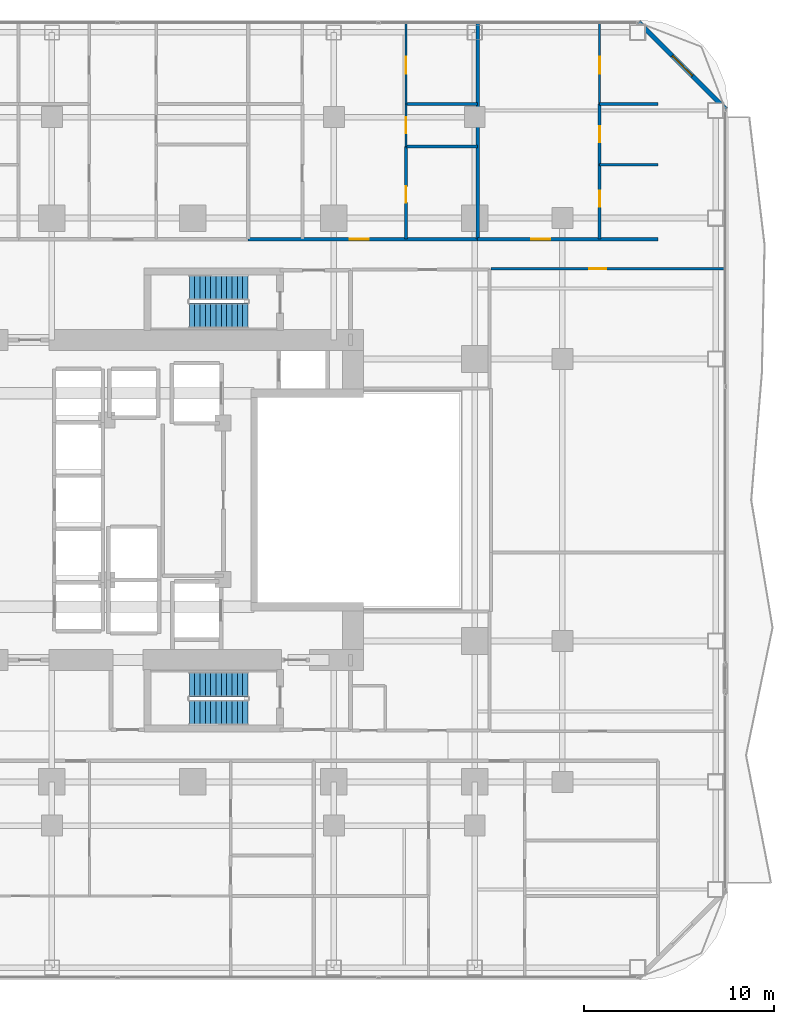
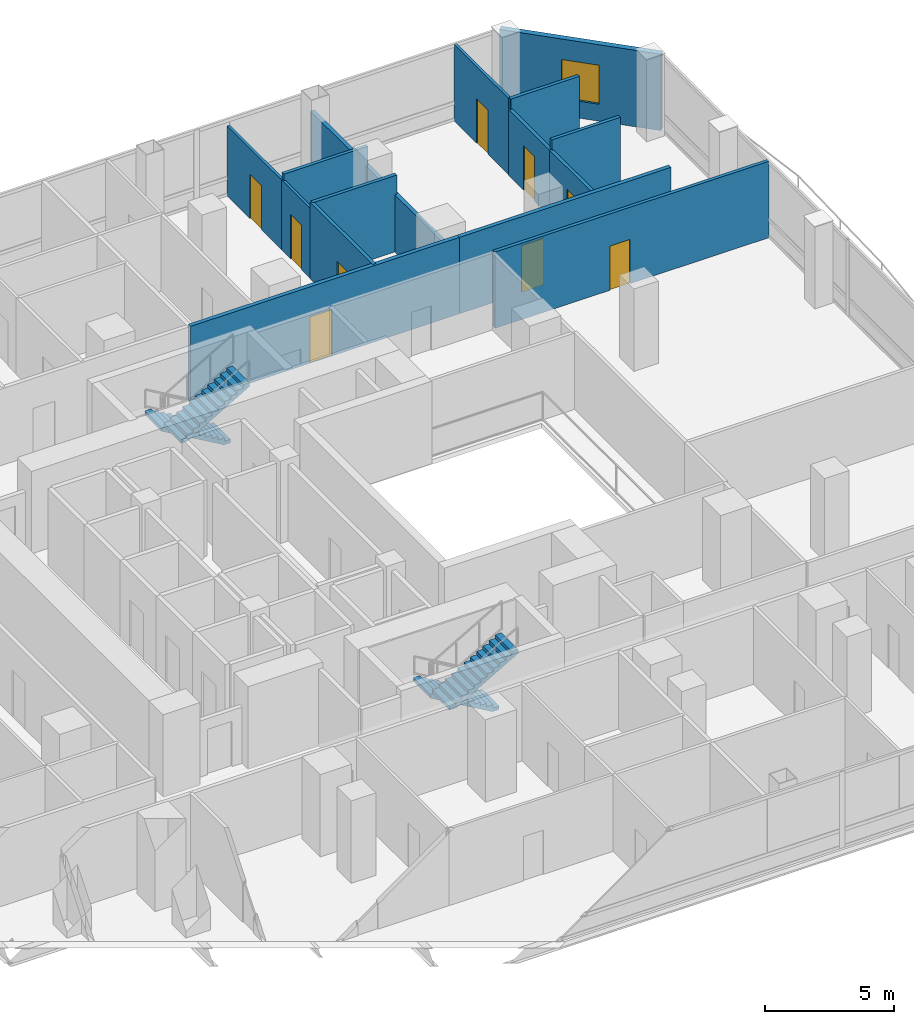
# One storey, part 24 of 27: 15 walls, 9 doors, 4 stair flights, 1 window, 10 openings, 2 elements without a shape of their own.
"""IFC4 building model written with IfcOpenShell, lengths in metres."""

from ifc_helpers import new_model, si_unit, direction, frame, frame_2d, origin, place, context, subcontext, project, spatial, polyline, rectangle, outline, extrude, material, layer, layer_set, type_object, element, fill, aggregate, save


model = new_model("IFC4")

# Units and contexts
model_context = context("Model", 3, precision=1e-05, world=origin(), true_north=direction((0.0, 1.0)))
body_context = subcontext(model_context, "Body", "Model", "MODEL_VIEW")
ifc_project = project(units=[si_unit("LENGTHUNIT", "METRE"), si_unit("AREAUNIT", "SQUARE_METRE"), si_unit("VOLUMEUNIT", "CUBIC_METRE"), si_unit("PLANEANGLEUNIT", "RADIAN"), si_unit("MASSUNIT", "GRAM", prefix="KILO")], contexts=[model_context])

# Site, building, storey
site_placement = place(None, origin())
site = spatial("IfcSite", under=ifc_project, at=site_placement, CompositionType="ELEMENT")
building_placement = place(site_placement, origin())
building = spatial("IfcBuilding", under=site, at=building_placement, Name="Khorvyn Point Tower", CompositionType="ELEMENT")
storey_placement = place(building_placement, frame((0.0, 0.0, 50.10009765625)))
storey = spatial("IfcBuildingStorey", under=building, at=storey_placement, Name="L13", CompositionType="ELEMENT", Elevation=50.10009765625)

# Wall, opening, door
ifc_material_1 = material(Name="Double acoustic gypsum on twin steel stud", Category="steel")
ifc_layer_1 = layer(ifc_material_1, 0.179931640625)
ifc_layer_set_1 = layer_set([ifc_layer_1], Name="Acoustic Double-Stud Apartment Demising Wall 180")
wall_type_1 = type_object("IfcWallType", Name="Acoustic Double-Stud Apartment Demising Wall 180", PredefinedType="PARTITIONING", material=ifc_layer_set_1)
wall_1_placement = place(storey_placement, frame((2.89990234375, 13.699951171875, 0.0), z_axis=(0.0, 0.0, 1.0), x_axis=(1.0, 0.0, 0.0)))
wall_1 = element("IfcWall", 1, at=wall_1_placement, inside=storey, type_object=wall_type_1, Name="Wall", PredefinedType="PARTITIONING", context=body_context, shape_type="SweptSolid", body=[
    extrude(rectangle(XDim=12.051025390625, YDim=0.179931640625, at=frame_2d((6.025390625, 0.0))), origin(), (0.0, 0.0, 1.0), 3.619873046875),
])
opening_1_placement = place(wall_1_placement, frame((5.3466796875, 0.0, 0.0)))
opening_1 = element("IfcOpeningElement", 2, at=opening_1_placement, cuts=wall_1, Name="Opening ID-AP60", PredefinedType="OPENING", context=body_context, shape_type="SweptSolid", body=[
    extrude(rectangle(XDim=1.0, YDim=2.199951171875, at=frame_2d((0.5, 1.10009765625))), frame((0.0, 0.099853515625, 0.0), z_axis=(0.0, -1.0, 0.0), x_axis=(1.0, 0.0, 0.0)), (0.0, 0.0, 1.0), 0.199951171875),
])
ifc_material_2 = material(Name="Engineered hardwood fire-rated leaf", Category="wood")
door_type_1 = type_object("IfcDoorType", Name="Acoustic Solid-Core Timber Apartment Entrance Door 1000x2200", OperationType="NOTDEFINED", PredefinedType="DOOR", material=ifc_material_2)
door_1_placement = place(opening_1_placement, origin())
door_1 = element("IfcDoor", 3, at=door_1_placement, inside=storey, type_object=door_type_1, Name="Door", OperationType="SINGLE_SWING_RIGHT", OverallHeight=2.199951171875, OverallWidth=1.0, PredefinedType="DOOR", context=body_context, shape_type="SweptSolid", body=[
    extrude(rectangle(XDim=1.0, YDim=2.199951171875, at=frame_2d((0.5, 1.10009765625))), frame((0.0, 0.02490234375, 0.0), z_axis=(0.0, -1.0, 0.0), x_axis=(1.0, 0.0, 0.0)), (0.0, 0.0, 1.0), 0.050048828125),
])
fill(opening_1, door_1)

wall_2_placement = place(storey_placement, frame((14.950927734375, 13.699951171875, 0.0), z_axis=(0.0, 0.0, 1.0), x_axis=(1.0, 0.0, 0.0)))
wall_2 = element("IfcWall", 4, at=wall_2_placement, inside=storey, type_object=wall_type_1, Name="Wall", PredefinedType="PARTITIONING", context=body_context, shape_type="SweptSolid", body=[
    extrude(rectangle(XDim=9.468994140625, YDim=0.179931640625, at=frame_2d((4.734375, 0.0))), origin(), (0.0, 0.0, 1.0), 3.619873046875),
])
opening_2_placement = place(wall_2_placement, frame((2.8173828125, 0.0, 0.0)))
opening_2 = element("IfcOpeningElement", 5, at=opening_2_placement, cuts=wall_2, Name="Opening ID-AP60", PredefinedType="OPENING", context=body_context, shape_type="SweptSolid", body=[
    extrude(rectangle(XDim=1.0, YDim=2.199951171875, at=frame_2d((0.5, 1.10009765625))), frame((0.0, 0.099853515625, 0.0), z_axis=(0.0, -1.0, 0.0), x_axis=(1.0, 0.0, 0.0)), (0.0, 0.0, 1.0), 0.199951171875),
])
door_2_placement = place(opening_2_placement, origin())
door_2 = element("IfcDoor", 6, at=door_2_placement, inside=storey, type_object=door_type_1, Name="Door", OperationType="SINGLE_SWING_RIGHT", OverallHeight=2.199951171875, OverallWidth=1.0, PredefinedType="DOOR", context=body_context, shape_type="SweptSolid", body=[
    extrude(rectangle(XDim=1.0, YDim=2.199951171875, at=frame_2d((0.5, 1.10009765625))), frame((0.0, 0.02490234375, 0.0), z_axis=(0.0, -1.0, 0.0), x_axis=(1.0, 0.0, 0.0)), (0.0, 0.0, 1.0), 0.050048828125),
])
fill(opening_2, door_2)

# Wall
wall_3_placement = place(storey_placement, frame((14.950927734375, 13.699951171875, 0.0), z_axis=(0.0, 0.0, 1.0), x_axis=(0.0, 1.0, 0.0)))
element("IfcWall", 7, at=wall_3_placement, inside=storey, type_object=wall_type_1, Name="Wall", PredefinedType="PARTITIONING", context=body_context, shape_type="SweptSolid", body=[
    extrude(rectangle(XDim=11.330078125, YDim=0.179931640625, at=frame_2d((5.6650390625, 0.0))), origin(), (0.0, 0.0, 1.0), 2.7099609375),
])

# Wall, opening, window
ifc_material_3 = material(Name="Pale anodised aluminium rainscreen on steel stud", Category="steel")
ifc_layer_2 = layer(ifc_material_3, 0.239990234375)
ifc_layer_set_2 = layer_set([ifc_layer_2], Name="Anodised Aluminium Insulated Corner Spandrel Wall 240")
wall_type_2 = type_object("IfcWallType", Name="Anodised Aluminium Insulated Corner Spandrel Wall 240", PredefinedType="SOLIDWALL", material=ifc_layer_set_2)
wall_4_placement = place(storey_placement, frame((23.40771484375, 25.09228515625, 0.0), z_axis=(0.0, 0.0, 1.0), x_axis=(0.707106781187, -0.707106781187, 0.0)))
wall_4 = element("IfcWall", 8, at=wall_4_placement, inside=storey, type_object=wall_type_2, Name="L13 Rounded Corner Wall NE", PredefinedType="SOLIDWALL", context=body_context, shape_type="SweptSolid", body=[
    extrude(rectangle(XDim=6.48388671875, YDim=0.239990234375, at=frame_2d((3.241943359375, 0.0))), origin(), (0.0, 0.0, 1.0), 3.619873046875),
])
opening_3_placement = place(wall_4_placement, frame((2.491943359375, 0.0, 0.800048828125)))
opening_3 = element("IfcOpeningElement", 9, at=opening_3_placement, cuts=wall_4, Name="Opening WN-1518", PredefinedType="OPENING", context=body_context, shape_type="SweptSolid", body=[
    extrude(rectangle(XDim=1.5, YDim=1.85009765625, at=frame_2d((0.75, 0.925048828125))), frame((0.0, 0.1298828125, 0.0), z_axis=(0.0, -1.0, 0.0), x_axis=(1.0, 0.0, 0.0)), (0.0, 0.0, 1.0), 0.260009765625),
])
ifc_material_4 = material(Name="Anodised aluminium 6063-T6 and laminated Low-E glass", Category="aluminium")
window_type = type_object("IfcWindowType", Name="Anodised Aluminium Rounded-Corner Panoramic Window 1500x1850", PartitioningType="SINGLE_PANEL", PredefinedType="WINDOW", material=ifc_material_4)
window_placement = place(opening_3_placement, origin())
window = element("IfcWindow", 10, at=window_placement, inside=storey, type_object=window_type, Name="L13 Corner Panoramic Window NE", OverallHeight=1.85009765625, OverallWidth=1.5, PartitioningType="SINGLE_PANEL", PredefinedType="WINDOW", context=body_context, shape_type="SweptSolid", body=[
    extrude(rectangle(XDim=1.5, YDim=1.85009765625, at=frame_2d((0.75, 0.925048828125))), frame((0.0, 0.030029296875, 0.0), z_axis=(0.0, -1.0, 0.0), x_axis=(1.0, 0.0, 0.0)), (0.0, 0.0, 1.0), 0.06005859375),
])
fill(opening_3, window)

# Wall, opening, door
ifc_material_5 = material(Name="Gypsum plasterboard on steel stud", Category="steel")
ifc_layer_3 = layer(ifc_material_5, 0.1201171875)
ifc_layer_set_3 = layer_set([ifc_layer_3], Name="Gypsum Acoustic Stud Room Partition Wall 120")
wall_type_3 = type_object("IfcWallType", Name="Gypsum Acoustic Stud Room Partition Wall 120", PredefinedType="PARTITIONING", material=ifc_layer_set_3)
wall_5_placement = place(storey_placement, frame((11.19091796875, 18.556884765625, 0.0), z_axis=(0.0, 0.0, 1.0), x_axis=(0.0, 1.0, 0.0)))
wall_5 = element("IfcWall", 11, at=wall_5_placement, inside=storey, type_object=wall_type_3, Name="Wall", PredefinedType="PARTITIONING", context=body_context, shape_type="SweptSolid", body=[
    extrude(rectangle(XDim=2.233154296875, YDim=0.1201171875, at=frame_2d((1.11669921875, 0.0))), origin(), (0.0, 0.0, 1.0), 3.309814453125),
])
opening_4_placement = place(wall_5_placement, frame((0.69140625, 0.0, 0.0)))
opening_4 = element("IfcOpeningElement", 12, at=opening_4_placement, cuts=wall_5, Name="Opening ID-WC85", PredefinedType="OPENING", context=body_context, shape_type="SweptSolid", body=[
    extrude(rectangle(XDim=0.85009765625, YDim=2.10009765625, at=frame_2d((0.425048828125, 1.050048828125))), frame((0.0, 0.070068359375, 0.0), z_axis=(0.0, -1.0, 0.0), x_axis=(1.0, 0.0, 0.0)), (0.0, 0.0, 1.0), 0.14013671875),
])
ifc_material_6 = material(Name="High-pressure laminate on moisture-resistant core", Category="wood")
door_type_2 = type_object("IfcDoorType", Name="Moisture-Resistant Accessible Washroom Door 850x2100", OperationType="NOTDEFINED", PredefinedType="DOOR", material=ifc_material_6)
door_3_placement = place(opening_4_placement, origin())
door_3 = element("IfcDoor", 13, at=door_3_placement, inside=storey, type_object=door_type_2, Name="Door", OperationType="SINGLE_SWING_RIGHT", OverallHeight=2.10009765625, OverallWidth=0.85009765625, PredefinedType="DOOR", context=body_context, shape_type="SweptSolid", body=[
    extrude(rectangle(XDim=0.85009765625, YDim=2.10009765625, at=frame_2d((0.425048828125, 1.050048828125))), frame((0.0, 0.02490234375, 0.0), z_axis=(0.0, -1.0, 0.0), x_axis=(1.0, 0.0, 0.0)), (0.0, 0.0, 1.0), 0.050048828125),
])
fill(opening_4, door_3)

wall_6_placement = place(storey_placement, frame((11.19091796875, 20.7900390625, 0.0), z_axis=(0.0, 0.0, 1.0), x_axis=(0.0, 1.0, 0.0)))
wall_6 = element("IfcWall", 14, at=wall_6_placement, inside=storey, type_object=wall_type_3, Name="Wall", PredefinedType="PARTITIONING", context=body_context, shape_type="SweptSolid", body=[
    extrude(rectangle(XDim=4.239990234375, YDim=0.1201171875, at=frame_2d((2.1201171875, 0.0))), origin(), (0.0, 0.0, 1.0), 3.309814453125),
])
opening_5_placement = place(wall_6_placement, frame((1.581298828125, 0.0, 0.0)))
opening_5 = element("IfcOpeningElement", 15, at=opening_5_placement, cuts=wall_6, Name="Opening ID-RM90", PredefinedType="OPENING", context=body_context, shape_type="SweptSolid", body=[
    extrude(rectangle(XDim=0.89990234375, YDim=2.10009765625, at=frame_2d((0.449951171875, 1.050048828125))), frame((0.0, 0.070068359375, 0.0), z_axis=(0.0, -1.0, 0.0), x_axis=(1.0, 0.0, 0.0)), (0.0, 0.0, 1.0), 0.14013671875),
])
ifc_material_7 = material(Name="Engineered oak veneer timber", Category="wood")
door_type_3 = type_object("IfcDoorType", Name="Flush Engineered Timber Room Door 900x2100", OperationType="NOTDEFINED", PredefinedType="DOOR", material=ifc_material_7)
door_4_placement = place(opening_5_placement, origin())
door_4 = element("IfcDoor", 16, at=door_4_placement, inside=storey, type_object=door_type_3, Name="Door", OperationType="SINGLE_SWING_LEFT", OverallHeight=2.10009765625, OverallWidth=0.89990234375, PredefinedType="DOOR", context=body_context, shape_type="SweptSolid", body=[
    extrude(rectangle(XDim=0.89990234375, YDim=2.10009765625, at=frame_2d((0.449951171875, 1.050048828125))), frame((0.0, 0.02490234375, 0.0), z_axis=(0.0, -1.0, 0.0), x_axis=(1.0, 0.0, 0.0)), (0.0, 0.0, 1.0), 0.050048828125),
])
fill(opening_5, door_4)

wall_7_placement = place(storey_placement, frame((21.35205078125, 20.7900390625, 0.0), z_axis=(0.0, 0.0, 1.0), x_axis=(0.0, 1.0, 0.0)))
wall_7 = element("IfcWall", 17, at=wall_7_placement, inside=storey, type_object=wall_type_3, Name="Wall", PredefinedType="PARTITIONING", context=body_context, shape_type="SweptSolid", body=[
    extrude(rectangle(XDim=4.239990234375, YDim=0.1201171875, at=frame_2d((2.1201171875, 0.0))), origin(), (0.0, 0.0, 1.0), 3.619873046875),
])
opening_6_placement = place(wall_7_placement, frame((1.581298828125, 0.0, 0.0)))
opening_6 = element("IfcOpeningElement", 18, at=opening_6_placement, cuts=wall_7, Name="Opening ID-RM90", PredefinedType="OPENING", context=body_context, shape_type="SweptSolid", body=[
    extrude(rectangle(XDim=0.89990234375, YDim=2.10009765625, at=frame_2d((0.449951171875, 1.050048828125))), frame((0.0, 0.070068359375, 0.0), z_axis=(0.0, -1.0, 0.0), x_axis=(1.0, 0.0, 0.0)), (0.0, 0.0, 1.0), 0.14013671875),
])
door_5_placement = place(opening_6_placement, origin())
door_5 = element("IfcDoor", 19, at=door_5_placement, inside=storey, type_object=door_type_3, Name="Door", OperationType="SINGLE_SWING_LEFT", OverallHeight=2.10009765625, OverallWidth=0.89990234375, PredefinedType="DOOR", context=body_context, shape_type="SweptSolid", body=[
    extrude(rectangle(XDim=0.89990234375, YDim=2.10009765625, at=frame_2d((0.449951171875, 1.050048828125))), frame((0.0, 0.02490234375, 0.0), z_axis=(0.0, -1.0, 0.0), x_axis=(1.0, 0.0, 0.0)), (0.0, 0.0, 1.0), 0.050048828125),
])
fill(opening_6, door_5)

ifc_material_8 = material(Name="Moisture-resistant gypsum and cement board", Category="gypsum")
ifc_layer_4 = layer(ifc_material_8, 0.14990234375)
ifc_layer_set_4 = layer_set([ifc_layer_4], Name="Moisture-Resistant Wet-Room Partition Wall 150")
wall_type_4 = type_object("IfcWallType", Name="Moisture-Resistant Wet-Room Partition Wall 150", PredefinedType="PARTITIONING", material=ifc_layer_set_4)
wall_8_placement = place(storey_placement, frame((11.19091796875, 13.699951171875, 0.0), z_axis=(0.0, 0.0, 1.0), x_axis=(0.0, 1.0, 0.0)))
wall_8 = element("IfcWall", 20, at=wall_8_placement, inside=storey, type_object=wall_type_4, Name="Wall", PredefinedType="PARTITIONING", context=body_context, shape_type="SweptSolid", body=[
    extrude(rectangle(XDim=4.85693359375, YDim=0.14990234375, at=frame_2d((2.428466796875, 0.0))), origin(), (0.0, 0.0, 1.0), 3.619873046875),
])
opening_7_placement = place(wall_8_placement, frame((1.915771484375, 0.0, 0.0)))
opening_7 = element("IfcOpeningElement", 21, at=opening_7_placement, cuts=wall_8, Name="Opening ID-WC85", PredefinedType="OPENING", context=body_context, shape_type="SweptSolid", body=[
    extrude(rectangle(XDim=0.85009765625, YDim=2.10009765625, at=frame_2d((0.425048828125, 1.050048828125))), frame((0.0, 0.0849609375, 0.0), z_axis=(0.0, -1.0, 0.0), x_axis=(1.0, 0.0, 0.0)), (0.0, 0.0, 1.0), 0.169921875),
])
door_6_placement = place(opening_7_placement, origin())
door_6 = element("IfcDoor", 22, at=door_6_placement, inside=storey, type_object=door_type_2, Name="Door", OperationType="SINGLE_SWING_LEFT", OverallHeight=2.10009765625, OverallWidth=0.85009765625, PredefinedType="DOOR", context=body_context, shape_type="SweptSolid", body=[
    extrude(rectangle(XDim=0.85009765625, YDim=2.10009765625, at=frame_2d((0.425048828125, 1.050048828125))), frame((0.0, 0.02490234375, 0.0), z_axis=(0.0, -1.0, 0.0), x_axis=(1.0, 0.0, 0.0)), (0.0, 0.0, 1.0), 0.050048828125),
])
fill(opening_7, door_6)

wall_9_placement = place(storey_placement, frame((21.35205078125, 13.699951171875, 0.0), z_axis=(0.0, 0.0, 1.0), x_axis=(0.0, 1.0, 0.0)))
wall_9 = element("IfcWall", 23, at=wall_9_placement, inside=storey, type_object=wall_type_4, Name="Wall", PredefinedType="PARTITIONING", context=body_context, shape_type="SweptSolid", body=[
    extrude(rectangle(XDim=3.899169921875, YDim=0.14990234375, at=frame_2d((1.94970703125, 0.0))), origin(), (0.0, 0.0, 1.0), 3.121826171875),
])
opening_8_placement = place(wall_9_placement, frame((1.695068359375, 0.0, 0.0)))
opening_8 = element("IfcOpeningElement", 24, at=opening_8_placement, cuts=wall_9, Name="Opening ID-WC85", PredefinedType="OPENING", context=body_context, shape_type="SweptSolid", body=[
    extrude(rectangle(XDim=0.85009765625, YDim=2.10009765625, at=frame_2d((0.425048828125, 1.050048828125))), frame((0.0, 0.0849609375, 0.0), z_axis=(0.0, -1.0, 0.0), x_axis=(1.0, 0.0, 0.0)), (0.0, 0.0, 1.0), 0.169921875),
])
door_7_placement = place(opening_8_placement, origin())
door_7 = element("IfcDoor", 25, at=door_7_placement, inside=storey, type_object=door_type_2, Name="Door", OperationType="SINGLE_SWING_LEFT", OverallHeight=2.10009765625, OverallWidth=0.85009765625, PredefinedType="DOOR", context=body_context, shape_type="SweptSolid", body=[
    extrude(rectangle(XDim=0.85009765625, YDim=2.10009765625, at=frame_2d((0.425048828125, 1.050048828125))), frame((0.0, 0.02490234375, 0.0), z_axis=(0.0, -1.0, 0.0), x_axis=(1.0, 0.0, 0.0)), (0.0, 0.0, 1.0), 0.050048828125),
])
fill(opening_8, door_7)

wall_10_placement = place(storey_placement, frame((21.35205078125, 17.59912109375, 0.0), z_axis=(0.0, 0.0, 1.0), x_axis=(0.0, 1.0, 0.0)))
wall_10 = element("IfcWall", 26, at=wall_10_placement, inside=storey, type_object=wall_type_4, Name="Wall", PredefinedType="PARTITIONING", context=body_context, shape_type="SweptSolid", body=[
    extrude(rectangle(XDim=3.19091796875, YDim=0.14990234375, at=frame_2d((1.595458984375, 0.0))), origin(), (0.0, 0.0, 1.0), 3.121826171875),
])
opening_9_placement = place(wall_10_placement, frame((1.17041015625, 0.0, 0.0)))
opening_9 = element("IfcOpeningElement", 27, at=opening_9_placement, cuts=wall_10, Name="Opening ID-WC85", PredefinedType="OPENING", context=body_context, shape_type="SweptSolid", body=[
    extrude(rectangle(XDim=0.85009765625, YDim=2.10009765625, at=frame_2d((0.425048828125, 1.050048828125))), frame((0.0, 0.0849609375, 0.0), z_axis=(0.0, -1.0, 0.0), x_axis=(1.0, 0.0, 0.0)), (0.0, 0.0, 1.0), 0.169921875),
])
door_8_placement = place(opening_9_placement, origin())
door_8 = element("IfcDoor", 28, at=door_8_placement, inside=storey, type_object=door_type_2, Name="Door", OperationType="SINGLE_SWING_RIGHT", OverallHeight=2.10009765625, OverallWidth=0.85009765625, PredefinedType="DOOR", context=body_context, shape_type="SweptSolid", body=[
    extrude(rectangle(XDim=0.85009765625, YDim=2.10009765625, at=frame_2d((0.425048828125, 1.050048828125))), frame((0.0, 0.02490234375, 0.0), z_axis=(0.0, -1.0, 0.0), x_axis=(1.0, 0.0, 0.0)), (0.0, 0.0, 1.0), 0.050048828125),
])
fill(opening_9, door_8)

wall_11_placement = place(storey_placement, frame((15.64990234375, 12.139892578125, 0.0), z_axis=(0.0, 0.0, 1.0), x_axis=(1.0, 0.0, 0.0)))
wall_11 = element("IfcWall", 29, at=wall_11_placement, inside=storey, type_object=wall_type_4, Name="Wall", PredefinedType="PARTITIONING", context=body_context, shape_type="SweptSolid", body=[
    extrude(rectangle(XDim=12.27001953125, YDim=0.14990234375, at=frame_2d((6.135009765625, 0.0))), origin(), (0.0, 0.0, 1.0), 3.619873046875),
])
opening_10_placement = place(wall_11_placement, frame((5.150390625, 0.0, 0.0)))
opening_10 = element("IfcOpeningElement", 30, at=opening_10_placement, cuts=wall_11, Name="Opening ID-RM90", PredefinedType="OPENING", context=body_context, shape_type="SweptSolid", body=[
    extrude(rectangle(XDim=0.89990234375, YDim=2.10009765625, at=frame_2d((0.449951171875, 1.050048828125))), frame((0.0, 0.0849609375, 0.0), z_axis=(0.0, -1.0, 0.0), x_axis=(1.0, 0.0, 0.0)), (0.0, 0.0, 1.0), 0.169921875),
])
door_9_placement = place(opening_10_placement, origin())
door_9 = element("IfcDoor", 31, at=door_9_placement, inside=storey, type_object=door_type_3, Name="Door", OperationType="SINGLE_SWING_RIGHT", OverallHeight=2.10009765625, OverallWidth=0.89990234375, PredefinedType="DOOR", context=body_context, shape_type="SweptSolid", body=[
    extrude(rectangle(XDim=0.89990234375, YDim=2.10009765625, at=frame_2d((0.449951171875, 1.050048828125))), frame((0.0, 0.02490234375, 0.0), z_axis=(0.0, -1.0, 0.0), x_axis=(1.0, 0.0, 0.0)), (0.0, 0.0, 1.0), 0.050048828125),
])
fill(opening_10, door_9)

# Walls
for number, where, z_axis, x_axis, name in (
    (32, (11.19091796875, 18.556884765625, 0.0), (0.0, 0.0, 1.0), (1.0, 0.0, 0.0), "Wall"),
    (33, (11.19091796875, 20.7900390625, 0.0), (0.0, 0.0, 1.0), (1.0, 0.0, 0.0), "Wall"),
):
    element("IfcWall", number, at=place(storey_placement, frame(where, z_axis=z_axis, x_axis=x_axis)), inside=storey, type_object=wall_type_4, Name=name, PredefinedType="PARTITIONING", context=body_context, shape_type="SweptSolid", body=[
        extrude(rectangle(XDim=3.760009765625, YDim=0.14990234375, at=frame_2d((1.8798828125, 0.0))), origin(), (0.0, 0.0, 1.0), 3.619873046875),
    ])
for number, where, z_axis, x_axis, name in (
    (34, (21.35205078125, 17.59912109375, 0.0), (0.0, 0.0, 1.0), (1.0, 0.0, 0.0), "Wall"),
    (35, (21.35205078125, 20.7900390625, 0.0), (0.0, 0.0, 1.0), (1.0, 0.0, 0.0), "Wall"),
):
    element("IfcWall", number, at=place(storey_placement, frame(where, z_axis=z_axis, x_axis=x_axis)), inside=storey, type_object=wall_type_4, Name=name, PredefinedType="PARTITIONING", context=body_context, shape_type="SweptSolid", body=[
        extrude(rectangle(XDim=3.06787109375, YDim=0.14990234375, at=frame_2d((1.533935546875, 0.0))), origin(), (0.0, 0.0, 1.0), 3.619873046875),
    ])

# Stair, stair flights
ifc_material_9 = material(Name="Concrete C40/50", Category="concrete")
stair_type = type_object("IfcStairType", Name="Tower Concrete C40/50 Dogleg Exit Stair", PredefinedType="HALF_TURN_STAIR", material=ifc_material_9)
stair_1_placement = place(storey_placement, origin())
stair_1 = element("IfcStair", 36, at=stair_1_placement, inside=storey, type_object=stair_type, Name="L13 Tower Smokeproof Exit Stair South", PredefinedType="HALF_TURN_STAIR")
stair_flight_type = type_object("IfcStairFlightType", Name="Tower Concrete C40/50 Stair Flight", PredefinedType="STRAIGHT", material=ifc_material_9)
stair_flight_1_placement = place(storey_placement, frame((2.89990234375, -9.679931640625, 0.0), z_axis=(0.0, 0.0, 1.0), x_axis=(-1.0, 0.0, 0.0)))
stair_flight_1 = element("IfcStairFlight", 37, at=stair_flight_1_placement, type_object=stair_flight_type, Name="ST-01 flight 1", NumberOfRisers=12, NumberOfTreads=11, PredefinedType="STRAIGHT", RiserHeight=0.1625, TreadLength=0.28, context=body_context, shape_type="SweptSolid", body=[
    extrude(outline(polyline([(0.0, 0.0), (0.0, 0.16259765625), (0.280029296875, 0.16259765625), (0.280029296875, 0.324951171875), (0.56005859375, 0.324951171875), (0.56005859375, 0.487548828125), (0.840087890625, 0.487548828125), (0.840087890625, 0.64990234375), (1.1201171875, 0.64990234375), (1.1201171875, 0.8125), (1.39990234375, 0.8125), (1.39990234375, 0.97509765625), (1.679931640625, 0.97509765625), (1.679931640625, 1.137451171875), (1.9599609375, 1.137451171875), (1.9599609375, 1.300048828125), (2.239990234375, 1.300048828125), (2.239990234375, 1.46240234375), (2.52001953125, 1.46240234375), (2.52001953125, 1.625), (2.800048828125, 1.625), (2.800048828125, 1.78759765625), (3.080078125, 1.78759765625), (3.080078125, 1.949951171875), (3.080078125, 1.6142578125), (0.298583984375, 0.0), (0.0, 0.0)])), frame((0.0, 0.66015625, 0.0), z_axis=(0.0, -1.0, 0.0), x_axis=(1.0, 0.0, 0.0)), (0.0, 0.0, 1.0), 1.320068359375),
])
stair_flight_2_placement = place(storey_placement, frame((-0.179931640625, -11.159912109375, 1.949951171875), z_axis=(0.0, 0.0, 1.0), x_axis=(1.0, 0.0, 0.0)))
stair_flight_2 = element("IfcStairFlight", 38, at=stair_flight_2_placement, type_object=stair_flight_type, Name="ST-01 flight 2", NumberOfRisers=12, NumberOfTreads=11, PredefinedType="STRAIGHT", RiserHeight=0.1625, TreadLength=0.28, context=body_context, shape_type="SweptSolid", body=[
    extrude(outline(polyline([(0.0, 0.0), (0.0, 0.16259765625), (0.280029296875, 0.16259765625), (0.280029296875, 0.324951171875), (0.56005859375, 0.324951171875), (0.56005859375, 0.487548828125), (0.840087890625, 0.487548828125), (0.840087890625, 0.64990234375), (1.1201171875, 0.64990234375), (1.1201171875, 0.8125), (1.39990234375, 0.8125), (1.39990234375, 0.97509765625), (1.679931640625, 0.97509765625), (1.679931640625, 1.137451171875), (1.9599609375, 1.137451171875), (1.9599609375, 1.300048828125), (2.239990234375, 1.300048828125), (2.239990234375, 1.46240234375), (2.52001953125, 1.46240234375), (2.52001953125, 1.625), (2.800048828125, 1.625), (2.800048828125, 1.78759765625), (3.080078125, 1.78759765625), (3.080078125, 1.949951171875), (3.080078125, 1.6142578125), (0.298583984375, 0.0), (0.0, 0.0)])), frame((0.0, 0.66015625, 0.0), z_axis=(0.0, -1.0, 0.0), x_axis=(1.0, 0.0, 0.0)), (0.0, 0.0, 1.0), 1.320068359375),
])
aggregate(stair_1, [stair_flight_1, stair_flight_2])

stair_2_placement = place(storey_placement, origin())
stair_2 = element("IfcStair", 39, at=stair_2_placement, inside=storey, type_object=stair_type, Name="L13 Tower Smokeproof Exit Stair North", PredefinedType="HALF_TURN_STAIR")
stair_flight_3_placement = place(storey_placement, frame((2.89990234375, 11.159912109375, 0.0), z_axis=(0.0, 0.0, 1.0), x_axis=(-1.0, 0.0, 0.0)))
stair_flight_3 = element("IfcStairFlight", 40, at=stair_flight_3_placement, type_object=stair_flight_type, Name="ST-02 flight 1", NumberOfRisers=12, NumberOfTreads=11, PredefinedType="STRAIGHT", RiserHeight=0.1625, TreadLength=0.28, context=body_context, shape_type="SweptSolid", body=[
    extrude(outline(polyline([(0.0, 0.0), (0.0, 0.16259765625), (0.280029296875, 0.16259765625), (0.280029296875, 0.324951171875), (0.56005859375, 0.324951171875), (0.56005859375, 0.487548828125), (0.840087890625, 0.487548828125), (0.840087890625, 0.64990234375), (1.1201171875, 0.64990234375), (1.1201171875, 0.8125), (1.39990234375, 0.8125), (1.39990234375, 0.97509765625), (1.679931640625, 0.97509765625), (1.679931640625, 1.137451171875), (1.9599609375, 1.137451171875), (1.9599609375, 1.300048828125), (2.239990234375, 1.300048828125), (2.239990234375, 1.46240234375), (2.52001953125, 1.46240234375), (2.52001953125, 1.625), (2.800048828125, 1.625), (2.800048828125, 1.78759765625), (3.080078125, 1.78759765625), (3.080078125, 1.949951171875), (3.080078125, 1.6142578125), (0.298583984375, 0.0), (0.0, 0.0)])), frame((0.0, 0.66015625, 0.0), z_axis=(0.0, -1.0, 0.0), x_axis=(1.0, 0.0, 0.0)), (0.0, 0.0, 1.0), 1.320068359375),
])
stair_flight_4_placement = place(storey_placement, frame((-0.179931640625, 9.679931640625, 1.949951171875), z_axis=(0.0, 0.0, 1.0), x_axis=(1.0, 0.0, 0.0)))
stair_flight_4 = element("IfcStairFlight", 41, at=stair_flight_4_placement, type_object=stair_flight_type, Name="ST-02 flight 2", NumberOfRisers=12, NumberOfTreads=11, PredefinedType="STRAIGHT", RiserHeight=0.1625, TreadLength=0.28, context=body_context, shape_type="SweptSolid", body=[
    extrude(outline(polyline([(0.0, 0.0), (0.0, 0.16259765625), (0.280029296875, 0.16259765625), (0.280029296875, 0.324951171875), (0.56005859375, 0.324951171875), (0.56005859375, 0.487548828125), (0.840087890625, 0.487548828125), (0.840087890625, 0.64990234375), (1.1201171875, 0.64990234375), (1.1201171875, 0.8125), (1.39990234375, 0.8125), (1.39990234375, 0.97509765625), (1.679931640625, 0.97509765625), (1.679931640625, 1.137451171875), (1.9599609375, 1.137451171875), (1.9599609375, 1.300048828125), (2.239990234375, 1.300048828125), (2.239990234375, 1.46240234375), (2.52001953125, 1.46240234375), (2.52001953125, 1.625), (2.800048828125, 1.625), (2.800048828125, 1.78759765625), (3.080078125, 1.78759765625), (3.080078125, 1.949951171875), (3.080078125, 1.6142578125), (0.298583984375, 0.0), (0.0, 0.0)])), frame((0.0, 0.66015625, 0.0), z_axis=(0.0, -1.0, 0.0), x_axis=(1.0, 0.0, 0.0)), (0.0, 0.0, 1.0), 1.320068359375),
])
aggregate(stair_2, [stair_flight_3, stair_flight_4])

save(model, "model.ifc")
